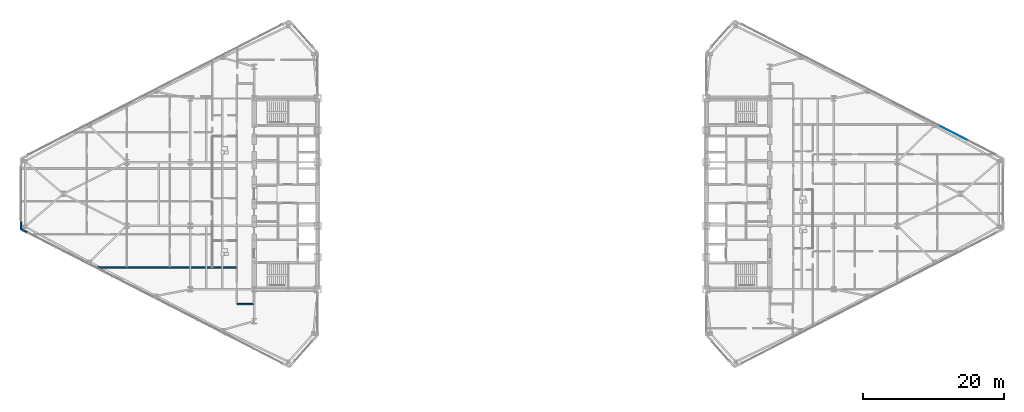
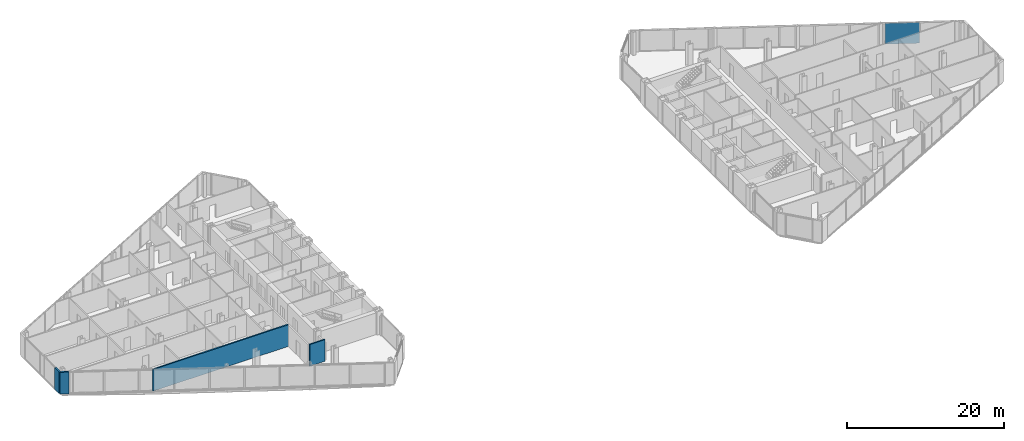
# One storey, part 15 of 24: 4 walls, 1 plate, 1 element without a shape of its own.
"""IFC4 building model written with IfcOpenShell, lengths in metres."""

from ifc_helpers import new_model, si_unit, direction, frame, frame_2d, origin, origin_2d, place, context, subcontext, project, spatial, rectangle, extrude, source, transform, mapped, material, layer, layer_set, type_object, type_shapes, element, aggregate, save


model = new_model("IFC4")

# Units and contexts
model_context = context("Model", 3, precision=1e-05, world=origin(), true_north=direction((0.0, 1.0)))
body_context = subcontext(model_context, "Body", "Model", "MODEL_VIEW")
ifc_project = project(units=[si_unit("LENGTHUNIT", "METRE"), si_unit("AREAUNIT", "SQUARE_METRE"), si_unit("VOLUMEUNIT", "CUBIC_METRE"), si_unit("PLANEANGLEUNIT", "RADIAN"), si_unit("MASSUNIT", "GRAM", prefix="KILO")], contexts=[model_context])

# Site, building, storey
site_placement = place(None, origin())
site = spatial("IfcSite", under=ifc_project, at=site_placement, CompositionType="ELEMENT")
building_placement = place(site_placement, origin())
building = spatial("IfcBuilding", under=site, at=building_placement, Name="Seokmaru Belvedere", CompositionType="ELEMENT")
storey_placement = place(building_placement, frame((0.0, 0.0, 117.60009765625)))
storey = spatial("IfcBuildingStorey", under=building, at=storey_placement, Name="L31", CompositionType="ELEMENT", Elevation=117.60009765625)

# Curtain wall, plate
ifc_material_1 = material(Name="Bronze Triple Insulating Glass", Category="glass")
ifc_layer_1 = layer(ifc_material_1, 0.195068359375)
ifc_layer_set_1 = layer_set([ifc_layer_1], Name="Bronze Triple Insulating Glass")
curtain_wall_type = type_object("IfcCurtainWallType", Name="Sky-Lobby and Mid-Rise Curtain Wall System CW-4", PredefinedType="NOTDEFINED", material=ifc_layer_set_1)
curtain_wall_placement = place(storey_placement, origin())
curtain_wall = element("IfcCurtainWall", 1, at=curtain_wall_placement, inside=storey, type_object=curtain_wall_type, Name="L31 Curtain Wall EF3", PredefinedType="NOTDEFINED")
ifc_layer_2 = layer(ifc_material_1, 0.035888671875)
ifc_layer_set_2 = layer_set([ifc_layer_2], Name="Bronze Triple Insulating Glass")
plate_type = type_object("IfcPlateType", Name="Bronze Triple Vision Glazing Panel 36", PredefinedType="CURTAIN_PANEL", material=ifc_layer_set_2)
shared_shape = source(origin(), body_context, "Body", "SweptSolid", [
    extrude(rectangle(XDim=4.420166015625, YDim=0.035888671875, at=origin_2d()), origin(), (0.0, 0.0, 1.0), 3.25),
])
type_shapes(plate_type, [shared_shape])
plate_placement = place(storey_placement, frame((62.484619140625, 8.60009765625, 0.06494140625), z_axis=(0.0, 0.0, 1.0), x_axis=(-0.889695432562, 0.456554528263, 0.0)))
plate = element("IfcPlate", 2, at=plate_placement, type_object=plate_type, Name="CW:L31:EF3 Glazing Panel 2-1", PredefinedType="CURTAIN_PANEL", context=body_context, shape_type="MappedRepresentation", body=[
    mapped(shared_shape, transform((0.0, 0.0, 0.0), scale=1.0)),
])
aggregate(curtain_wall, [plate])

# Walls
ifc_material_2 = material(Name="Fire-Rated Gypsum Shaftwall")
ifc_layer_3 = layer(ifc_material_2, 0.199951171875)
ifc_layer_set_3 = layer_set([ifc_layer_3], Name="Fire-Rated Gypsum Shaftwall")
wall_type_1 = type_object("IfcWallType", Name="Inter-Tenancy Fire Compartment Partition 200", PredefinedType="PARTITIONING", material=ifc_layer_set_3)
wall_1_placement = place(storey_placement, frame((-38.864990234375, -15.60009765625, 0.0), z_axis=(0.0, 0.0, 1.0), x_axis=(1.0, 0.0, 0.0)))
element("IfcWall", 3, at=wall_1_placement, inside=storey, type_object=wall_type_1, Name="L31 Interior Partition 002", PredefinedType="PARTITIONING", context=body_context, shape_type="SweptSolid", body=[
    extrude(rectangle(XDim=2.280029296875, YDim=0.199951171875, at=frame_2d((1.14013671875, 0.0))), origin(), (0.0, 0.0, 1.0), 3.3798828125),
])
wall_2_placement = place(storey_placement, frame((-58.988037109375, -10.39990234375, 0.0), z_axis=(0.0, 0.0, 1.0), x_axis=(1.0, 0.0, 0.0)))
element("IfcWall", 4, at=wall_2_placement, inside=storey, type_object=wall_type_1, Name="L31 Interior Partition 006", PredefinedType="PARTITIONING", context=body_context, shape_type="SweptSolid", body=[
    extrude(rectangle(XDim=19.9580078125, YDim=0.199951171875, at=frame_2d((9.97900390625, 0.0))), origin(), (0.0, 0.0, 1.0), 3.3798828125),
])
ifc_material_3 = material(Name="Anodised Bronze Aluminium", Category="aluminium")
ifc_layer_4 = layer(ifc_material_3, 0.239990234375)
ifc_layer_set_4 = layer_set([ifc_layer_4], Name="Anodised Bronze Aluminium")
wall_type_2 = type_object("IfcWallType", Name="Tower Corner Spandrel Closure Wall 240", PredefinedType="SOLIDWALL", material=ifc_layer_set_4)
wall_3_placement = place(storey_placement, frame((-69.5, -3.85009765625, 0.0), z_axis=(0.0, 0.0, 1.0), x_axis=(0.0, -1.0, 0.0)))
element("IfcWall", 5, at=wall_3_placement, inside=storey, type_object=wall_type_2, Name="L31 W Corner Closure Pier 4B", PredefinedType="SOLIDWALL", context=body_context, shape_type="SweptSolid", body=[
    extrude(rectangle(XDim=1.139892578125, YDim=0.239990234375, at=frame_2d((0.56982421875, 0.0))), origin(), (0.0, 0.0, 1.0), 3.3798828125),
])
wall_4_placement = place(storey_placement, frame((-69.4912109375, -5.004638671875, 0.0), z_axis=(0.0, 0.0, 1.0), x_axis=(0.889797395748, -0.456355776255, 0.0)))
element("IfcWall", 6, at=wall_4_placement, inside=storey, type_object=wall_type_2, Name="L31 W Corner Closure Pier 5A", PredefinedType="SOLIDWALL", context=body_context, shape_type="SweptSolid", body=[
    extrude(rectangle(XDim=1.14013671875, YDim=0.239990234375, at=frame_2d((0.570068359375, 0.0))), origin(), (0.0, 0.0, 1.0), 3.3798828125),
])

save(model, "model.ifc")
